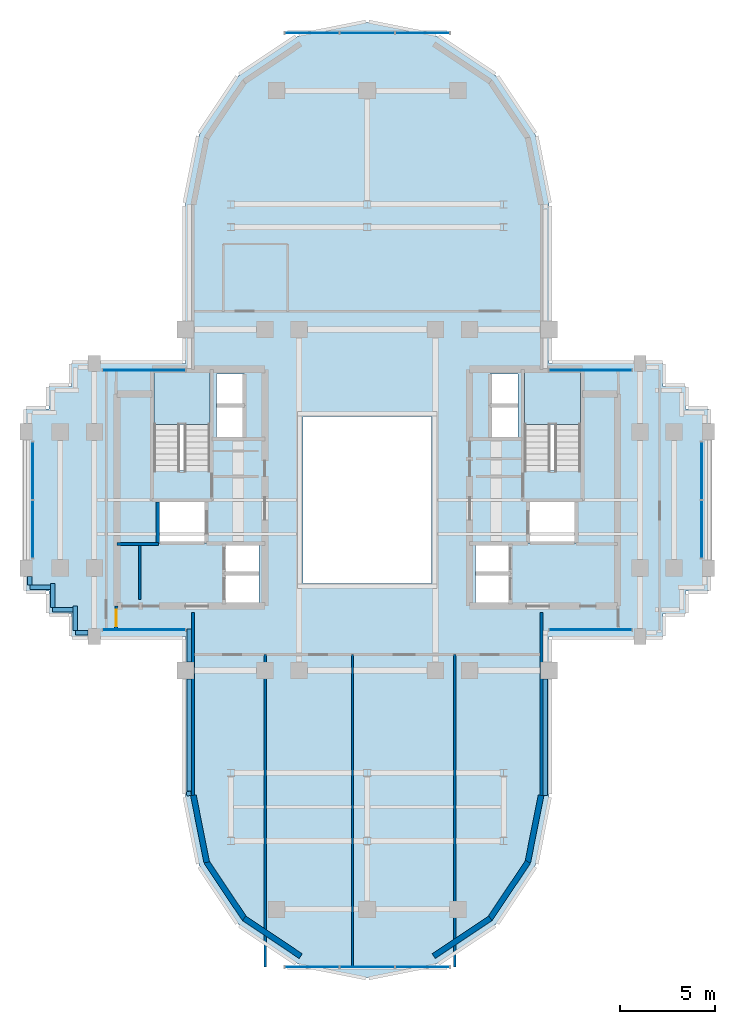
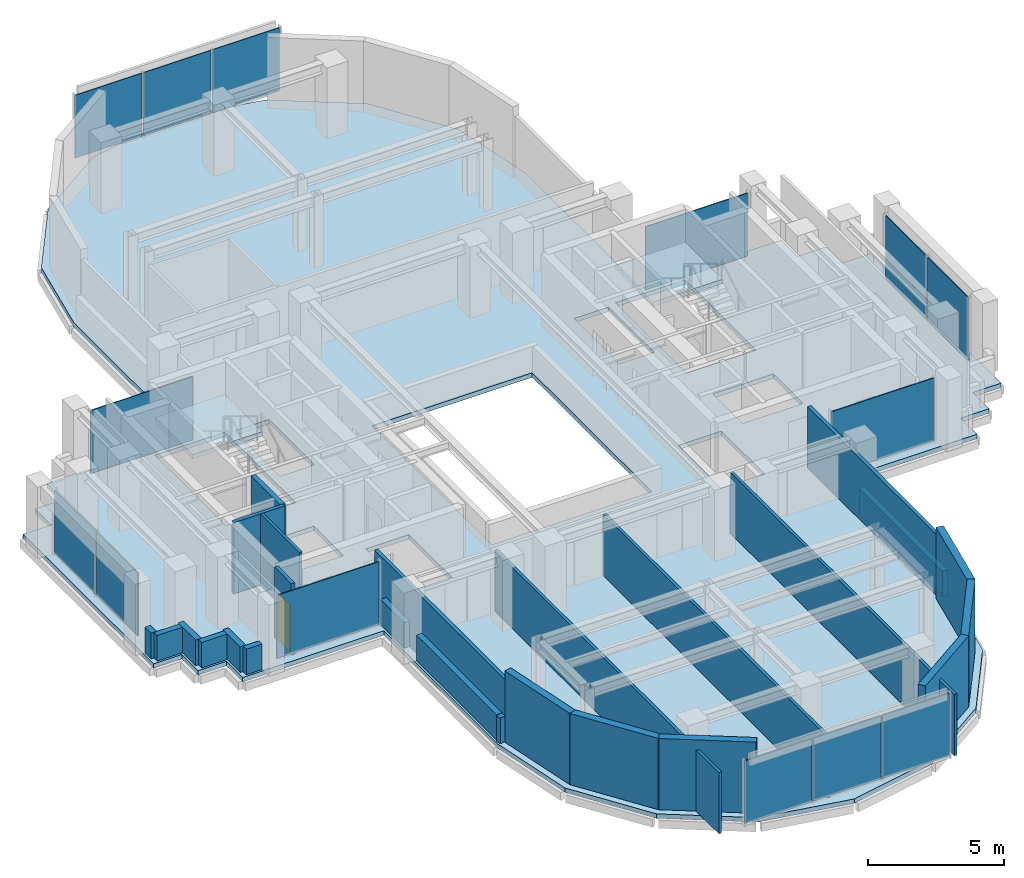
# One storey, part 5 of 11: 25 walls, 14 plates, 3 slabs, 1 door, 1 opening, 10 elements without a shape of their own.
"""IFC4 building model written with IfcOpenShell, lengths in metres."""

import ifcopenshell
import ifcopenshell.guid

model = None  # the IFC model being written
_history = None  # IfcOwnerHistory: only IFC2X3 demands one
_inside = {}  # id of a spatial element -> (the spatial element, [elements in it])
_under = {}  # id of a project, library or spatial element -> (it, [spatial elements below it])
_declared = {}  # id of a project -> (the project, [libraries it declares])
_typed = {}  # id of a type object -> (the type object, [elements of that type])
_made_of = {}  # id of a material, layer set ... -> (it, [elements and type objects made of it])


def new_model(schema):
    """Start an empty IFC model of exactly this schema.

    Asked for "IFC4X3", IfcOpenShell would pick the latest addendum, in which some entities
    have other attributes; the version numbers below select the first issue.
    IFC2X3 requires an IfcOwnerHistory on every rooted entity: one is made here for all.
    """
    global model, _history
    if schema == "IFC4X3":
        model = ifcopenshell.file(schema_version=(4, 3, 0, 0))
    else:
        model = ifcopenshell.file(schema=schema)
    _inside.clear()
    _under.clear()
    _declared.clear()
    _typed.clear()
    _made_of.clear()
    _history = None
    if model.schema == "IFC2X3":
        org = make("IfcOrganization", Name="unknown")
        user = make(
            "IfcPersonAndOrganization",
            ThePerson=make("IfcPerson", FamilyName="unknown"),
            TheOrganization=org,
        )
        app = make(
            "IfcApplication",
            ApplicationDeveloper=org,
            Version="unknown",
            ApplicationFullName="unknown",
            ApplicationIdentifier="unknown",
        )
        _history = make(
            "IfcOwnerHistory",
            OwningUser=user,
            OwningApplication=app,
            ChangeAction="ADDED",
            CreationDate=0,
        )
    return model


def make(cls, **values):
    """One entity of the class cls with the attributes given. An attribute that is None is left unset."""
    return model.create_entity(
        cls, **{name: value for name, value in values.items() if value is not None}
    )


def rooted(cls, **values):
    """An entity with a GlobalId (a new one), such as an element, a storey or a relation."""
    return make(cls, GlobalId=ifcopenshell.guid.new(), OwnerHistory=_history, **values)


def si_unit(unit_type, name, prefix=None):
    """IfcSIUnit, for example si_unit("LENGTHUNIT", "METRE", prefix="MILLI")."""
    return make("IfcSIUnit", UnitType=unit_type, Prefix=prefix, Name=name)


def assignment(units):
    """IfcUnitAssignment: the units of a project."""
    return None if units is None else make("IfcUnitAssignment", Units=units)


def point(xyz):
    """IfcCartesianPoint."""
    return None if xyz is None else make("IfcCartesianPoint", Coordinates=xyz)


def direction(xyz):
    """IfcDirection."""
    return None if xyz is None else make("IfcDirection", DirectionRatios=xyz)


def frame(location, z_axis=None, x_axis=None):
    """IfcAxis2Placement3D, a coordinate frame: its origin and axes. An axis left out is left unset."""
    return make(
        "IfcAxis2Placement3D",
        Location=point(location),
        Axis=direction(z_axis),
        RefDirection=direction(x_axis),
    )


def frame_2d(location, x_axis=None):
    """IfcAxis2Placement2D, a coordinate frame in the plane: its origin and x axis."""
    return make(
        "IfcAxis2Placement2D", Location=point(location), RefDirection=direction(x_axis)
    )


def origin():
    """The frame at (0, 0, 0) with its axes left unset."""
    return frame((0.0, 0.0, 0.0))


def origin_2d():
    """The frame at (0, 0) in the plane with its x axis left unset."""
    return frame_2d((0.0, 0.0))


def place(relative_to, where):
    """IfcLocalPlacement: puts the frame where relative to a parent placement (None: the world)."""
    return make(
        "IfcLocalPlacement", PlacementRelTo=relative_to, RelativePlacement=where
    )


def context(
    kind, dimensions, precision=None, world=None, true_north=None, identifier=None
):
    """IfcGeometricRepresentationContext, for example the 3D "Model" context."""
    return make(
        "IfcGeometricRepresentationContext",
        ContextIdentifier=identifier,
        ContextType=kind,
        CoordinateSpaceDimension=dimensions,
        Precision=precision,
        WorldCoordinateSystem=world,
        TrueNorth=true_north,
    )


def subcontext(parent, identifier, kind, view, scale=None):
    """IfcGeometricRepresentationSubContext, for example "Body" below "Model"."""
    return make(
        "IfcGeometricRepresentationSubContext",
        ContextIdentifier=identifier,
        ContextType=kind,
        ParentContext=parent,
        TargetScale=scale,
        TargetView=view,
    )


def project(units=None, contexts=None):
    """IfcProject with its units and contexts."""
    return rooted(
        "IfcProject",
        Name="project",
        RepresentationContexts=contexts,
        UnitsInContext=assignment(units),
    )


def spatial(cls, under=None, at=None, **own):
    """A site, building, storey or space (cls), placed at a placement, below another one or the project."""
    s = rooted(cls, ObjectPlacement=at, **own)
    if under is not None:
        _under.setdefault(under.id(), (under, []))[1].append(s)
    return s


def polyline(points):
    """IfcPolyline through the points."""
    return make("IfcPolyline", Points=[point(p) for p in points])


def profile(cls, at=None, kind="AREA", **sizes):
    """A parametric profile (cls). Its sizes go by their IFC names, for example OverallWidth=200.0."""
    return make(cls, ProfileType=kind, Position=at, **sizes)


def rectangle(**sizes):
    """IfcRectangleProfileDef."""
    return profile("IfcRectangleProfileDef", **sizes)


def outline(outer, holes=None, kind="AREA"):
    """IfcArbitraryClosedProfileDef: a profile drawn as a closed curve; with holes, ...WithVoids."""
    if holes is None:
        return make("IfcArbitraryClosedProfileDef", ProfileType=kind, OuterCurve=outer)
    return make(
        "IfcArbitraryProfileDefWithVoids",
        ProfileType=kind,
        OuterCurve=outer,
        InnerCurves=holes,
    )


def extrude(swept, where, along, depth):
    """IfcExtrudedAreaSolid: the profile swept, set in the frame where, extruded along a direction by depth."""
    return make(
        "IfcExtrudedAreaSolid",
        SweptArea=swept,
        Position=where,
        ExtrudedDirection=direction(along),
        Depth=depth,
    )


def shape(context_of_items, identifier, shape_type, items):
    """IfcShapeRepresentation: the items that make up one representation, for example the "Body"."""
    return make(
        "IfcShapeRepresentation",
        ContextOfItems=context_of_items,
        RepresentationIdentifier=identifier,
        RepresentationType=shape_type,
        Items=items,
    )


def source(mapping_origin, context_of_items, identifier, shape_type, items):
    """IfcRepresentationMap: a shape defined once, which mapped items show again and again."""
    return make(
        "IfcRepresentationMap",
        MappingOrigin=mapping_origin,
        MappedRepresentation=shape(context_of_items, identifier, shape_type, items),
    )


def transform(
    local_origin,
    x_axis=None,
    y_axis=None,
    z_axis=None,
    scale=None,
    scale2=None,
    scale3=None,
    uniform=True,
):
    """IfcCartesianTransformationOperator3D, or its non-uniform kind. x_axis, y_axis, z_axis: its Axis1, 2, 3."""
    if uniform:
        return make(
            "IfcCartesianTransformationOperator3D",
            Axis1=direction(x_axis),
            Axis2=direction(y_axis),
            LocalOrigin=point(local_origin),
            Scale=scale,
            Axis3=direction(z_axis),
        )
    return make(
        "IfcCartesianTransformationOperator3DnonUniform",
        Axis1=direction(x_axis),
        Axis2=direction(y_axis),
        LocalOrigin=point(local_origin),
        Scale=scale,
        Axis3=direction(z_axis),
        Scale2=scale2,
        Scale3=scale3,
    )


def mapped(mapping_source, mapping_target):
    """IfcMappedItem: shows the shape of a source again, moved by a transform."""
    return make(
        "IfcMappedItem", MappingSource=mapping_source, MappingTarget=mapping_target
    )


def material(Name=None, Category=None):
    """IfcMaterial."""
    return make("IfcMaterial", Name=Name, Category=Category)


def layer(
    of_material, thickness, ventilated=None, Name=None, Category=None, Priority=None
):
    """IfcMaterialLayer: one layer of a wall or slab, of a material (None: an air gap)."""
    return make(
        "IfcMaterialLayer",
        Material=of_material,
        LayerThickness=thickness,
        IsVentilated=ventilated,
        Name=Name,
        Category=Category,
        Priority=Priority,
    )


def layer_set(layers, Name=None):
    """IfcMaterialLayerSet."""
    return make("IfcMaterialLayerSet", MaterialLayers=layers, LayerSetName=Name)


def made_of(thing, what):
    """Note that an element or type object is made of a material, layer set ...; save() writes the relation."""
    if what is not None:
        _made_of.setdefault(what.id(), (what, []))[1].append(thing)
    return thing


def type_object(cls, material=None, **own):
    """A type object (cls), such as IfcWallType, which elements share."""
    return made_of(rooted(cls, **own), material)


def element(
    cls,
    number,
    at=None,
    inside=None,
    cuts=None,
    type_object=None,
    material=None,
    context=None,
    identifier="Body",
    shape_type=None,
    held_by="IfcProductDefinitionShape",
    body=None,
    shapes=None,
    **own,
):
    """One element of the class cls, such as IfcWall. Its Tag is "e" and its number.

    at: its placement. inside: the storey or other place that contains it. cuts: it is an
    opening in that element (IfcRelVoidsElement). A single representation is given by context,
    identifier, shape_type and body (its items); several are given by shapes. held_by: the class
    of the entity that holds the representations. save() writes the other relations.
    """
    e = rooted(cls, Tag="e%d" % number, ObjectPlacement=at, **own)
    if body is not None:
        shapes = [shape(context, identifier, shape_type, body)]
    if shapes is not None:
        e.Representation = make(held_by, Representations=shapes)
    if inside is not None:
        _inside.setdefault(inside.id(), (inside, []))[1].append(e)
    if cuts is not None:
        rooted(
            "IfcRelVoidsElement", RelatingBuildingElement=cuts, RelatedOpeningElement=e
        )
    if type_object is not None:
        _typed.setdefault(type_object.id(), (type_object, []))[1].append(e)
    return made_of(e, material)


def fill(opening, filler):
    """IfcRelFillsElement: the door or window that sits in an opening."""
    return rooted(
        "IfcRelFillsElement",
        RelatingOpeningElement=opening,
        RelatedBuildingElement=filler,
    )


def aggregate(whole, parts):
    """IfcRelAggregates: a whole, such as a stair, and the parts it consists of."""
    return rooted("IfcRelAggregates", RelatingObject=whole, RelatedObjects=parts)


def save(model, path):
    """Write the relations noted so far, then the file.

    IfcRelAggregates (storeys below a building ...), IfcRelContainedInSpatialStructure (elements
    in a storey), IfcRelDefinesByType, IfcRelAssociatesMaterial and IfcRelDeclares: one each for
    every whole, place, type object, material and project.
    """
    for whole, parts in _under.values():
        aggregate(whole, parts)
    for where, things in _inside.values():
        rooted(
            "IfcRelContainedInSpatialStructure",
            RelatedElements=things,
            RelatingStructure=where,
        )
    for kind, things in _typed.values():
        rooted("IfcRelDefinesByType", RelatedObjects=things, RelatingType=kind)
    for what, things in _made_of.values():
        rooted("IfcRelAssociatesMaterial", RelatedObjects=things, RelatingMaterial=what)
    for by, libraries in _declared.values():
        rooted("IfcRelDeclares", RelatingContext=by, RelatedDefinitions=libraries)
    model.write(path)


model = new_model("IFC4")

# Units and contexts
model_context = context("Model", 3, precision=1e-05, world=origin(), true_north=direction((0.0, 1.0)))
body_context = subcontext(model_context, "Body", "Model", "MODEL_VIEW")
ifc_project = project(units=[si_unit("LENGTHUNIT", "METRE"), si_unit("AREAUNIT", "SQUARE_METRE"), si_unit("VOLUMEUNIT", "CUBIC_METRE"), si_unit("PLANEANGLEUNIT", "RADIAN"), si_unit("MASSUNIT", "GRAM", prefix="KILO")], contexts=[model_context])

# Site, building, storey
site_placement = place(None, origin())
site = spatial("IfcSite", under=ifc_project, at=site_placement, CompositionType="ELEMENT")
building_placement = place(site_placement, origin())
building = spatial("IfcBuilding", under=site, at=building_placement, Name="Keilestroom Media Tower", CompositionType="ELEMENT")
storey_placement = place(building_placement, frame((0.0, 0.0, 167.199951171875)))
storey = spatial("IfcBuildingStorey", under=building, at=storey_placement, Name="L45", CompositionType="ELEMENT", Elevation=167.199951171875)

# Slab
ifc_material_1 = material(Name="Concrete C50/60", Category="concrete")
ifc_layer_1 = layer(ifc_material_1, 0.199951171875)
ifc_layer_set_1 = layer_set([ifc_layer_1], Name="Concrete C50/60")
slab_type_1 = type_object("IfcSlabType", Name="Composite-Floor-Slab-200", PredefinedType="FLOOR", material=ifc_layer_set_1)
slab_1_placement = place(storey_placement, frame((0.0, 0.0, -0.199951171875)))
element("IfcSlab", 1, at=slab_1_placement, inside=storey, type_object=slab_type_1, Name="L45 Structural Composite Floor Slab", PredefinedType="FLOOR", context=body_context, shape_type="SweptSolid", body=[
    extrude(outline(polyline([(18.0, -4.800048828125), (18.0, 4.800048828125), (16.800048828125, 4.800048828125), (16.800048828125, 6.0), (15.60009765625, 6.0), (15.60009765625, 7.199951171875), (9.60009765625, 7.199951171875), (9.60009765625, 9.60009765625), (9.60009765625, 15.60009765625), (8.869140625, 19.273681640625), (6.7880859375, 22.38818359375), (3.673828125, 24.46923828125), (0.0, 25.199951171875), (-3.673828125, 24.46923828125), (-6.7880859375, 22.38818359375), (-8.869140625, 19.273681640625), (-9.60009765625, 15.60009765625), (-9.60009765625, 9.60009765625), (-9.60009765625, 7.199951171875), (-15.60009765625, 7.199951171875), (-15.60009765625, 6.0), (-16.800048828125, 6.0), (-16.800048828125, 4.800048828125), (-18.0, 4.800048828125), (-18.0, -4.800048828125), (-16.800048828125, -4.800048828125), (-16.800048828125, -6.0), (-15.60009765625, -6.0), (-15.60009765625, -7.199951171875), (-9.60009765625, -7.199951171875), (-9.60009765625, -9.60009765625), (-9.60009765625, -15.60009765625), (-8.869140625, -19.273681640625), (-6.7880859375, -22.38818359375), (-3.673828125, -24.46923828125), (0.0, -25.199951171875), (3.673828125, -24.46923828125), (6.7880859375, -22.38818359375), (8.869140625, -19.273681640625), (9.60009765625, -15.60009765625), (9.60009765625, -9.60009765625), (9.60009765625, -7.199951171875), (15.60009765625, -7.199951171875), (15.60009765625, -6.0), (16.800048828125, -6.0), (16.800048828125, -4.800048828125), (18.0, -4.800048828125)]), holes=[polyline([(-11.260009765625, 1.544921875), (-11.260009765625, 6.760009765625), (-8.300048828125, 6.760009765625), (-8.300048828125, 1.544921875), (-11.260009765625, 1.544921875)]), polyline([(-11.050048828125, -2.280029296875), (-11.050048828125, -0.10009765625), (-8.47998046875, -0.10009765625), (-8.47998046875, -2.280029296875), (-11.050048828125, -2.280029296875)]), polyline([(-7.949951171875, 3.300048828125), (-7.949951171875, 6.64990234375), (-6.47998046875, 6.64990234375), (-6.47998046875, 3.300048828125), (-7.949951171875, 3.300048828125)]), polyline([(-7.56005859375, -2.320068359375), (-5.719970703125, -2.320068359375), (-5.719970703125, -5.47998046875), (-7.56005859375, -5.47998046875), (-7.56005859375, -2.320068359375)]), polyline([(3.39990234375, -4.39990234375), (-3.39990234375, -4.39990234375), (-3.39990234375, 4.39990234375), (3.39990234375, 4.39990234375), (3.39990234375, -4.39990234375)]), polyline([(7.56005859375, -2.320068359375), (7.56005859375, -5.47998046875), (5.719970703125, -5.47998046875), (5.719970703125, -2.320068359375), (7.56005859375, -2.320068359375)]), polyline([(6.47998046875, 3.300048828125), (6.47998046875, 6.64990234375), (7.949951171875, 6.64990234375), (7.949951171875, 3.300048828125), (6.47998046875, 3.300048828125)]), polyline([(8.300048828125, 1.544921875), (8.300048828125, 6.760009765625), (11.260009765625, 6.760009765625), (11.260009765625, 1.544921875), (8.300048828125, 1.544921875)]), polyline([(8.47998046875, -2.280029296875), (8.47998046875, -0.10009765625), (11.050048828125, -0.10009765625), (11.050048828125, -2.280029296875), (8.47998046875, -2.280029296875)])]), origin(), (0.0, 0.0, 1.0), 0.199951171875),
])

# Stair, slab
ifc_material_2 = material(Name="Concrete C45/55", Category="concrete")
stair_type = type_object("IfcStairType", Name="Enclosed-Dog-Leg-Stair-ST-CORE", PredefinedType="HALF_TURN_STAIR", material=ifc_material_2)
stair_1_placement = place(storey_placement, origin())
stair_1 = element("IfcStair", 2, at=stair_1_placement, inside=storey, type_object=stair_type, Name="L45 West Core Escape Stair ST-1", PredefinedType="HALF_TURN_STAIR")
ifc_layer_2 = layer(ifc_material_2, 0.199951171875)
ifc_layer_set_2 = layer_set([ifc_layer_2], Name="Concrete C45/55")
slab_type_2 = type_object("IfcSlabType", Name="Stair-Intermediate-And-Top-Landing-Slab-200", PredefinedType="LANDING", material=ifc_layer_set_2)
slab_2_placement = place(storey_placement, frame((0.0, 0.0, 1.5)))
slab_2 = element("IfcSlab", 3, at=slab_2_placement, type_object=slab_type_2, Name="ST-1 landing 1", PredefinedType="LANDING", context=body_context, shape_type="SweptSolid", body=[
    extrude(outline(polyline([(-8.300048828125, 3.99609375), (-8.300048828125, 6.760009765625), (-11.260009765625, 6.760009765625), (-11.260009765625, 3.99609375), (-8.300048828125, 3.99609375)])), origin(), (0.0, 0.0, 1.0), 0.199951171875),
])
aggregate(stair_1, [slab_2])

stair_2_placement = place(storey_placement, origin())
stair_2 = element("IfcStair", 4, at=stair_2_placement, inside=storey, type_object=stair_type, Name="L45 East Core Escape Stair ST-2", PredefinedType="HALF_TURN_STAIR")
slab_3_placement = place(storey_placement, frame((0.0, 0.0, 1.5)))
slab_3 = element("IfcSlab", 5, at=slab_3_placement, type_object=slab_type_2, Name="ST-2 landing 1", PredefinedType="LANDING", context=body_context, shape_type="SweptSolid", body=[
    extrude(outline(polyline([(11.260009765625, 3.99609375), (11.260009765625, 6.760009765625), (8.300048828125, 6.760009765625), (8.300048828125, 3.99609375), (11.260009765625, 3.99609375)])), origin(), (0.0, 0.0, 1.0), 0.199951171875),
])
aggregate(stair_2, [slab_3])

# Curtain wall, plates
ifc_material_3 = material(Name="Anodised Aluminium Alloy", Category="aluminium")
curtain_wall_type_1 = type_object("IfcCurtainWallType", Name="Unitised-Curtain-Wall-CW-6", PredefinedType="NOTDEFINED", material=ifc_material_3)
curtain_wall_1_placement = place(storey_placement, origin())
curtain_wall_1 = element("IfcCurtainWall", 6, at=curtain_wall_1_placement, inside=storey, type_object=curtain_wall_type_1, Name="L45 Curtain Wall CW-6 CW-L45-LN-1", PredefinedType="NOTDEFINED")
ifc_material_4 = material(Name="Curved-Facet Triple Glazed Unit", Category="glass")
ifc_layer_3 = layer(ifc_material_4, 0.033935546875)
ifc_layer_set_3 = layer_set([ifc_layer_3], Name="Curved-Facet Triple Glazed Unit")
plate_type_1 = type_object("IfcPlateType", Name="Insulated-Curtain-Wall-Glazing-Panel-CW-6", PredefinedType="CURTAIN_PANEL", material=ifc_layer_set_3)
shared_shape_1 = source(origin(), body_context, "Body", "SweptSolid", [
    extrude(rectangle(XDim=2.84375, YDim=0.033935546875, at=origin_2d()), origin(), (0.0, 0.0, 1.0), 2.833984375),
])
plate_1_placement = place(storey_placement, frame((-2.9169921875, 24.64990234375, 0.072998046875), z_axis=(0.0, 0.0, 1.0), x_axis=(1.0, 0.0, 0.0)))
plate_1 = element("IfcPlate", 7, at=plate_1_placement, type_object=plate_type_1, Name="CW-6 Unitised Glazing 00", PredefinedType="CURTAIN_PANEL", context=body_context, shape_type="MappedRepresentation", body=[
    mapped(shared_shape_1, transform((0.0, 0.0, 0.0), x_axis=(1.0, 0.0, 0.0), y_axis=(0.0, 1.0, 0.0), z_axis=(0.0, 0.0, 1.0), scale=1.0)),
])
plate_2_placement = place(storey_placement, frame((2.9169921875, 24.64990234375, 0.072998046875), z_axis=(0.0, 0.0, 1.0), x_axis=(1.0, 0.0, 0.0)))
plate_2 = element("IfcPlate", 8, at=plate_2_placement, type_object=plate_type_1, Name="CW-6 Unitised Glazing 02", PredefinedType="CURTAIN_PANEL", context=body_context, shape_type="MappedRepresentation", body=[
    mapped(shared_shape_1, transform((0.0, 0.0, 0.0), x_axis=(1.0, 0.0, 0.0), y_axis=(0.0, 1.0, 0.0), z_axis=(0.0, 0.0, 1.0), scale=1.0)),
])

curtain_wall_2_placement = place(storey_placement, origin())
curtain_wall_2 = element("IfcCurtainWall", 9, at=curtain_wall_2_placement, inside=storey, type_object=curtain_wall_type_1, Name="L45 Curtain Wall CW-6 CW-L45-LS-1", PredefinedType="NOTDEFINED")
plate_3_placement = place(storey_placement, frame((-2.9169921875, -24.64990234375, 0.072998046875), z_axis=(0.0, 0.0, 1.0), x_axis=(1.0, 0.0, 0.0)))
plate_3 = element("IfcPlate", 10, at=plate_3_placement, type_object=plate_type_1, Name="CW-6 Unitised Glazing 00", PredefinedType="CURTAIN_PANEL", context=body_context, shape_type="MappedRepresentation", body=[
    mapped(shared_shape_1, transform((0.0, 0.0, 0.0), x_axis=(1.0, 0.0, 0.0), y_axis=(0.0, 1.0, 0.0), z_axis=(0.0, 0.0, 1.0), scale=1.0)),
])
plate_4_placement = place(storey_placement, frame((2.9169921875, -24.64990234375, 0.072998046875), z_axis=(0.0, 0.0, 1.0), x_axis=(1.0, 0.0, 0.0)))
plate_4 = element("IfcPlate", 11, at=plate_4_placement, type_object=plate_type_1, Name="CW-6 Unitised Glazing 02", PredefinedType="CURTAIN_PANEL", context=body_context, shape_type="MappedRepresentation", body=[
    mapped(shared_shape_1, transform((0.0, 0.0, 0.0), x_axis=(1.0, 0.0, 0.0), y_axis=(0.0, 1.0, 0.0), z_axis=(0.0, 0.0, 1.0), scale=1.0)),
])

# Plate
shared_shape_2 = source(origin(), body_context, "Body", "SweptSolid", [
    extrude(rectangle(XDim=2.876220703125, YDim=0.033935546875, at=origin_2d()), origin(), (0.0, 0.0, 1.0), 2.833984375),
])
plate_5_placement = place(storey_placement, frame((0.0, 24.64990234375, 0.072998046875), z_axis=(0.0, 0.0, 1.0), x_axis=(1.0, 0.0, 0.0)))
plate_5 = element("IfcPlate", 12, at=plate_5_placement, type_object=plate_type_1, Name="CW-6 Unitised Glazing 01", PredefinedType="CURTAIN_PANEL", context=body_context, shape_type="MappedRepresentation", body=[
    mapped(shared_shape_2, transform((0.0, 0.0, 0.0), x_axis=(1.0, 0.0, 0.0), y_axis=(0.0, 1.0, 0.0), z_axis=(0.0, 0.0, 1.0), scale=1.0)),
])

aggregate(curtain_wall_1, [plate_1, plate_5, plate_2])

plate_6_placement = place(storey_placement, frame((0.0, -24.64990234375, 0.072998046875), z_axis=(0.0, 0.0, 1.0), x_axis=(1.0, 0.0, 0.0)))
plate_6 = element("IfcPlate", 13, at=plate_6_placement, type_object=plate_type_1, Name="CW-6 Unitised Glazing 01", PredefinedType="CURTAIN_PANEL", context=body_context, shape_type="MappedRepresentation", body=[
    mapped(shared_shape_2, transform((0.0, 0.0, 0.0), x_axis=(1.0, 0.0, 0.0), y_axis=(0.0, 1.0, 0.0), z_axis=(0.0, 0.0, 1.0), scale=1.0)),
])

aggregate(curtain_wall_2, [plate_3, plate_6, plate_4])

# Curtain wall, plate
curtain_wall_type_2 = type_object("IfcCurtainWallType", Name="Unitised-Curtain-Wall-CW-3", PredefinedType="NOTDEFINED", material=ifc_material_3)
curtain_wall_3_placement = place(storey_placement, origin())
curtain_wall_3 = element("IfcCurtainWall", 14, at=curtain_wall_3_placement, inside=storey, type_object=curtain_wall_type_2, Name="L45 Curtain Wall CW-3 CW-L45-NW-1", PredefinedType="NOTDEFINED")
ifc_material_5 = material(Name="Triple Glazed Acoustic Low-E Unit", Category="glass")
ifc_layer_4 = layer(ifc_material_5, 0.0380859375)
ifc_layer_set_4 = layer_set([ifc_layer_4], Name="Triple Glazed Acoustic Low-E Unit")
plate_type_2 = type_object("IfcPlateType", Name="Insulated-Curtain-Wall-Glazing-Panel-CW-3", PredefinedType="CURTAIN_PANEL", material=ifc_layer_set_4)
shared_shape_3 = source(origin(), body_context, "Body", "SweptSolid", [
    extrude(rectangle(XDim=4.343017578125, YDim=0.0380859375, at=origin_2d()), origin(), (0.0, 0.0, 1.0), 2.833984375),
])
plate_7_placement = place(storey_placement, frame((-11.782470703125, 6.85009765625, 0.072998046875), z_axis=(0.0, 0.0, 1.0), x_axis=(1.0, 0.0, 0.0)))
plate_7 = element("IfcPlate", 15, at=plate_7_placement, type_object=plate_type_2, Name="CW-3 Unitised Glazing 00", PredefinedType="CURTAIN_PANEL", context=body_context, shape_type="MappedRepresentation", body=[
    mapped(shared_shape_3, transform((0.0, 0.0, 0.0), x_axis=(1.0, 0.0, 0.0), y_axis=(0.0, 1.0, 0.0), z_axis=(0.0, 0.0, 1.0), scale=1.0)),
])
aggregate(curtain_wall_3, [plate_7])

curtain_wall_4_placement = place(storey_placement, origin())
curtain_wall_4 = element("IfcCurtainWall", 16, at=curtain_wall_4_placement, inside=storey, type_object=curtain_wall_type_2, Name="L45 Curtain Wall CW-3 CW-L45-NE-1", PredefinedType="NOTDEFINED")
plate_8_placement = place(storey_placement, frame((11.782470703125, 6.85009765625, 0.072998046875), z_axis=(0.0, 0.0, 1.0), x_axis=(1.0, 0.0, 0.0)))
plate_8 = element("IfcPlate", 17, at=plate_8_placement, type_object=plate_type_2, Name="CW-3 Unitised Glazing 00", PredefinedType="CURTAIN_PANEL", context=body_context, shape_type="MappedRepresentation", body=[
    mapped(shared_shape_3, transform((0.0, 0.0, 0.0), x_axis=(1.0, 0.0, 0.0), y_axis=(0.0, 1.0, 0.0), z_axis=(0.0, 0.0, 1.0), scale=1.0)),
])
aggregate(curtain_wall_4, [plate_8])

curtain_wall_5_placement = place(storey_placement, origin())
curtain_wall_5 = element("IfcCurtainWall", 18, at=curtain_wall_5_placement, inside=storey, type_object=curtain_wall_type_2, Name="L45 Curtain Wall CW-3 CW-L45-SW-1", PredefinedType="NOTDEFINED")
plate_9_placement = place(storey_placement, frame((-11.782470703125, -6.85009765625, 0.072998046875), z_axis=(0.0, 0.0, 1.0), x_axis=(1.0, 0.0, 0.0)))
plate_9 = element("IfcPlate", 19, at=plate_9_placement, type_object=plate_type_2, Name="CW-3 Unitised Glazing 00", PredefinedType="CURTAIN_PANEL", context=body_context, shape_type="MappedRepresentation", body=[
    mapped(shared_shape_3, transform((0.0, 0.0, 0.0), x_axis=(1.0, 0.0, 0.0), y_axis=(0.0, 1.0, 0.0), z_axis=(0.0, 0.0, 1.0), scale=1.0)),
])
aggregate(curtain_wall_5, [plate_9])

curtain_wall_6_placement = place(storey_placement, origin())
curtain_wall_6 = element("IfcCurtainWall", 20, at=curtain_wall_6_placement, inside=storey, type_object=curtain_wall_type_2, Name="L45 Curtain Wall CW-3 CW-L45-SE-1", PredefinedType="NOTDEFINED")
plate_10_placement = place(storey_placement, frame((11.782470703125, -6.85009765625, 0.072998046875), z_axis=(0.0, 0.0, 1.0), x_axis=(1.0, 0.0, 0.0)))
plate_10 = element("IfcPlate", 21, at=plate_10_placement, type_object=plate_type_2, Name="CW-3 Unitised Glazing 00", PredefinedType="CURTAIN_PANEL", context=body_context, shape_type="MappedRepresentation", body=[
    mapped(shared_shape_3, transform((0.0, 0.0, 0.0), x_axis=(1.0, 0.0, 0.0), y_axis=(0.0, 1.0, 0.0), z_axis=(0.0, 0.0, 1.0), scale=1.0)),
])
aggregate(curtain_wall_6, [plate_10])

# Curtain wall, plates
curtain_wall_7_placement = place(storey_placement, origin())
curtain_wall_7 = element("IfcCurtainWall", 22, at=curtain_wall_7_placement, inside=storey, type_object=curtain_wall_type_2, Name="L45 Curtain Wall CW-3 CW-L45-W-1", PredefinedType="NOTDEFINED")
shared_shape_4 = source(origin(), body_context, "Body", "SweptSolid", [
    extrude(rectangle(XDim=3.025390625, YDim=0.0380859375, at=origin_2d()), origin(), (0.0, 0.0, 1.0), 2.833984375),
])
plate_11_placement = place(storey_placement, frame((-17.64990234375, -1.541259765625, 0.072998046875), z_axis=(0.0, 0.0, 1.0), x_axis=(0.0, 1.0, 0.0)))
plate_11 = element("IfcPlate", 23, at=plate_11_placement, type_object=plate_type_2, Name="CW-3 Unitised Glazing 00", PredefinedType="CURTAIN_PANEL", context=body_context, shape_type="MappedRepresentation", body=[
    mapped(shared_shape_4, transform((0.0, 0.0, 0.0), x_axis=(1.0, 0.0, 0.0), y_axis=(0.0, 1.0, 0.0), z_axis=(0.0, 0.0, 1.0), scale=1.0)),
])
plate_12_placement = place(storey_placement, frame((-17.64990234375, 1.541259765625, 0.072998046875), z_axis=(0.0, 0.0, 1.0), x_axis=(0.0, 1.0, 0.0)))
plate_12 = element("IfcPlate", 24, at=plate_12_placement, type_object=plate_type_2, Name="CW-3 Unitised Glazing 01", PredefinedType="CURTAIN_PANEL", context=body_context, shape_type="MappedRepresentation", body=[
    mapped(shared_shape_4, transform((0.0, 0.0, 0.0), x_axis=(1.0, 0.0, 0.0), y_axis=(0.0, 1.0, 0.0), z_axis=(0.0, 0.0, 1.0), scale=1.0)),
])
aggregate(curtain_wall_7, [plate_11, plate_12])

curtain_wall_8_placement = place(storey_placement, origin())
curtain_wall_8 = element("IfcCurtainWall", 25, at=curtain_wall_8_placement, inside=storey, type_object=curtain_wall_type_2, Name="L45 Curtain Wall CW-3 CW-L45-E-1", PredefinedType="NOTDEFINED")
plate_13_placement = place(storey_placement, frame((17.64990234375, -1.541259765625, 0.072998046875), z_axis=(0.0, 0.0, 1.0), x_axis=(0.0, 1.0, 0.0)))
plate_13 = element("IfcPlate", 26, at=plate_13_placement, type_object=plate_type_2, Name="CW-3 Unitised Glazing 00", PredefinedType="CURTAIN_PANEL", context=body_context, shape_type="MappedRepresentation", body=[
    mapped(shared_shape_4, transform((0.0, 0.0, 0.0), x_axis=(1.0, 0.0, 0.0), y_axis=(0.0, 1.0, 0.0), z_axis=(0.0, 0.0, 1.0), scale=1.0)),
])
plate_14_placement = place(storey_placement, frame((17.64990234375, 1.541259765625, 0.072998046875), z_axis=(0.0, 0.0, 1.0), x_axis=(0.0, 1.0, 0.0)))
plate_14 = element("IfcPlate", 27, at=plate_14_placement, type_object=plate_type_2, Name="CW-3 Unitised Glazing 01", PredefinedType="CURTAIN_PANEL", context=body_context, shape_type="MappedRepresentation", body=[
    mapped(shared_shape_4, transform((0.0, 0.0, 0.0), x_axis=(1.0, 0.0, 0.0), y_axis=(0.0, 1.0, 0.0), z_axis=(0.0, 0.0, 1.0), scale=1.0)),
])
aggregate(curtain_wall_8, [plate_13, plate_14])

# Walls
ifc_material_6 = material(Name="Precast concrete C40/50", Category="concrete")
ifc_layer_5 = layer(ifc_material_6, 0.300048828125)
ifc_layer_set_5 = layer_set([ifc_layer_5], Name="Precast concrete C40/50")
wall_type_1 = type_object("IfcWallType", Name="Exterior-Masonry-Spandrel-Wall-300", PredefinedType="SOLIDWALL", material=ifc_layer_set_5)
for number, where, z_axis, x_axis, name in (
    (28, (-9.1748046875, -15.585205078125, 0.0), (0.0, 0.0, 1.0), (0.195114232679, -0.980780523974, 0.0), "L45 Lobe Facet Precast Frame Wall 07"),
    (29, (-8.48193359375, -19.097412109375, 0.0), (0.0, 0.0, 1.0), (0.555574187116, -0.831466970246, 0.0), "L45 Lobe Facet Precast Frame Wall 08"),
):
    element("IfcWall", number, at=place(storey_placement, frame(where, z_axis=z_axis, x_axis=x_axis)), inside=storey, type_object=wall_type_1, Name=name, PredefinedType="SOLIDWALL", context=body_context, shape_type="SweptSolid", body=[
        extrude(rectangle(XDim=3.608642578125, YDim=0.300048828125, at=frame_2d((1.80419921875, 0.0))), origin(), (0.0, 0.0, 1.0), 3.199951171875),
    ])
for number, where, z_axis, x_axis, name in (
    (30, (-6.497802734375, -22.0771484375, 0.0), (0.0, 0.0, 1.0), (0.8314749531, -0.555562239868, 0.0), "L45 Lobe Facet Precast Frame Wall 09"),
    (31, (3.510009765625, -24.073486328125, 0.0), (0.0, 0.0, 1.0), (0.8314749531, 0.555562239868, 0.0), "L45 Lobe Facet Precast Frame Wall 10"),
):
    element("IfcWall", number, at=place(storey_placement, frame(where, z_axis=z_axis, x_axis=x_axis)), inside=storey, type_object=wall_type_1, Name=name, PredefinedType="SOLIDWALL", context=body_context, shape_type="SweptSolid", body=[
        extrude(rectangle(XDim=3.59326171875, YDim=0.300048828125, at=frame_2d((1.796630859375, 0.0))), origin(), (0.0, 0.0, 1.0), 3.199951171875),
    ])
for number, where, z_axis, x_axis, name in (
    (32, (6.47705078125, -22.097900390625, 0.0), (0.0, 0.0, 1.0), (0.555574187116, 0.831466970246, 0.0), "L45 Lobe Facet Precast Frame Wall 11"),
    (33, (8.470703125, -19.12451171875, 0.0), (0.0, 0.0, 1.0), (0.195114232679, 0.980780523974, 0.0), "L45 Lobe Facet Precast Frame Wall 12"),
):
    element("IfcWall", number, at=place(storey_placement, frame(where, z_axis=z_axis, x_axis=x_axis)), inside=storey, type_object=wall_type_1, Name=name, PredefinedType="SOLIDWALL", context=body_context, shape_type="SweptSolid", body=[
        extrude(rectangle(XDim=3.608642578125, YDim=0.300048828125, at=frame_2d((1.80419921875, 0.0))), origin(), (0.0, 0.0, 1.0), 3.199951171875),
    ])
ifc_material_7 = material(Name="Gypsum Plasterboard & Steel Stud", Category="steel")
ifc_layer_6 = layer(ifc_material_7, 0.1201171875)
ifc_layer_set_6 = layer_set([ifc_layer_6], Name="Gypsum Plasterboard & Steel Stud")
wall_type_2 = type_object("IfcWallType", Name="Interior-Partition-Wall-120", PredefinedType="PARTITIONING", material=ifc_layer_set_6)
wall_1_placement = place(storey_placement, frame((-12.010009765625, -5.260009765625, 0.0), z_axis=(0.0, 0.0, 1.0), x_axis=(0.0, 1.0, 0.0)))
element("IfcWall", 34, at=wall_1_placement, inside=storey, type_object=wall_type_2, Name="L45 Interior Wall WP-L45-RECLW-M", PredefinedType="PARTITIONING", context=body_context, shape_type="SweptSolid", body=[
    extrude(rectangle(XDim=2.93994140625, YDim=0.1201171875, at=frame_2d((1.469970703125, 0.0))), origin(), (0.0, 0.0, 1.0), 3.199951171875),
])
for number, where, z_axis, x_axis, name in (
    (35, (-5.3798828125, -24.64990234375, 0.0), (0.0, 0.0, 1.0), (0.0, 1.0, 0.0), "L45 Interior Wall WP-L45-SL-QV1"),
    (36, (-0.780029296875, -24.64990234375, 0.0), (0.0, 0.0, 1.0), (0.0, 1.0, 0.0), "L45 Interior Wall WP-L45-SL-QV2"),
    (37, (4.6201171875, -24.64990234375, 0.0), (0.0, 0.0, 1.0), (0.0, 1.0, 0.0), "L45 Interior Wall WP-L45-SL-QV3"),
):
    element("IfcWall", number, at=place(storey_placement, frame(where, z_axis=z_axis, x_axis=x_axis)), inside=storey, type_object=wall_type_2, Name=name, PredefinedType="PARTITIONING", context=body_context, shape_type="SweptSolid", body=[
        extrude(rectangle(XDim=16.489990234375, YDim=0.1201171875, at=frame_2d((8.2451171875, 0.0))), origin(), (0.0, 0.0, 1.0), 2.75),
    ])
ifc_layer_7 = layer(ifc_material_7, 0.14990234375)
ifc_layer_set_7 = layer_set([ifc_layer_7], Name="Gypsum Plasterboard & Steel Stud")
wall_type_3 = type_object("IfcWallType", Name="Interior-Partition-Wall-150", PredefinedType="PARTITIONING", material=ifc_layer_set_7)
wall_2_placement = place(storey_placement, frame((-13.199951171875, -2.320068359375, 0.0), z_axis=(0.0, 0.0, 1.0), x_axis=(1.0, 0.0, 0.0)))
element("IfcWall", 38, at=wall_2_placement, inside=storey, type_object=wall_type_3, Name="L45 Interior Wall WP-L45-RECLW-N", PredefinedType="PARTITIONING", context=body_context, shape_type="SweptSolid", body=[
    extrude(rectangle(XDim=2.179931640625, YDim=0.14990234375, at=frame_2d((1.08984375, 0.0))), origin(), (0.0, 0.0, 1.0), 3.199951171875),
])
for number, where, z_axis, x_axis, name in (
    (39, (-9.199951171875, -15.679931640625, 0.0), (0.0, 0.0, 1.0), (0.0, 1.0, 0.0), "L45 Interior Wall WP-L45-SL-CHKW"),
    (40, (9.199951171875, -15.679931640625, 0.0), (0.0, 0.0, 1.0), (0.0, 1.0, 0.0), "L45 Interior Wall WP-L45-SL-CHKE"),
):
    element("IfcWall", number, at=place(storey_placement, frame(where, z_axis=z_axis, x_axis=x_axis)), inside=storey, type_object=wall_type_3, Name=name, PredefinedType="PARTITIONING", context=body_context, shape_type="SweptSolid", body=[
        extrude(rectangle(XDim=9.739990234375, YDim=0.14990234375, at=frame_2d((4.8701171875, 0.0))), origin(), (0.0, 0.0, 1.0), 2.75),
    ])

# Wall, opening, door
wall_3_placement = place(storey_placement, frame((-13.260009765625, -6.85009765625, 0.0), z_axis=(0.0, 0.0, 1.0), x_axis=(0.016013571389, 0.999871774545, 0.0)))
wall_3 = element("IfcWall", 41, at=wall_3_placement, inside=storey, type_object=wall_type_3, Name="L45 Interior Wall WP-L45-WA-ENTS", PredefinedType="PARTITIONING", context=body_context, shape_type="SweptSolid", body=[
    extrude(rectangle(XDim=1.250244140625, YDim=0.14990234375, at=frame_2d((0.625, 0.0))), origin(), (0.0, 0.0, 1.0), 3.199951171875),
])
opening_placement = place(wall_3_placement, frame((0.199951171875, 0.0, 0.0)))
opening = element("IfcOpeningElement", 42, at=opening_placement, cuts=wall_3, Name="Opening DI-05", PredefinedType="OPENING", context=body_context, shape_type="SweptSolid", body=[
    extrude(rectangle(XDim=0.85009765625, YDim=2.10009765625, at=frame_2d((0.425048828125, 1.050048828125))), frame((0.0, 0.0849609375, 0.0), z_axis=(0.0, -1.0, 0.0), x_axis=(1.0, 0.0, 0.0)), (0.0, 0.0, 1.0), 0.169921875),
])
ifc_material_8 = material(Name="Moisture-Resistant Oak Leaf", Category="wood")
door_type = type_object("IfcDoorType", Name="Interior-En-Suite-And-Cupboard-Door-DI-05", OperationType="NOTDEFINED", PredefinedType="DOOR", material=ifc_material_8)
shared_shape_5 = source(origin(), body_context, "Body", "SweptSolid", [
    extrude(rectangle(XDim=0.85009765625, YDim=2.10009765625, at=frame_2d((0.425048828125, 1.050048828125))), frame((0.0, 0.02490234375, 0.0), z_axis=(0.0, -1.0, 0.0), x_axis=(1.0, 0.0, 0.0)), (0.0, 0.0, 1.0), 0.050048828125),
])
door_placement = place(opening_placement, origin())
door = element("IfcDoor", 43, at=door_placement, inside=storey, type_object=door_type, Name="L45 Interior Door DI-L45-DWA-ENTS", OperationType="SINGLE_SWING_RIGHT", OverallHeight=2.10009765625, OverallWidth=0.85009765625, PredefinedType="DOOR", context=body_context, shape_type="MappedRepresentation", body=[
    mapped(shared_shape_5, transform((0.0, 0.0, 0.0), x_axis=(1.0, 0.0, 0.0), y_axis=(0.0, 1.0, 0.0), z_axis=(0.0, 0.0, 1.0), scale=1.0)),
])
fill(opening, door)

# Walls
ifc_layer_8 = layer(ifc_material_1, 0.199951171875)
ifc_layer_set_8 = layer_set([ifc_layer_8], Name="Concrete C50/60")
wall_type_4 = type_object("IfcWallType", Name="Reinforced-Concrete-Shaft-Wall-200", PredefinedType="SOLIDWALL", material=ifc_layer_set_8)
wall_4_placement = place(storey_placement, frame((-11.050048828125, -2.280029296875, 0.0), z_axis=(0.0, 0.0, 1.0), x_axis=(0.0, 1.0, 0.0)))
element("IfcWall", 44, at=wall_4_placement, inside=storey, type_object=wall_type_4, Name="L45 Core Shear Wall WL-L45-LSH-FFL-1-W", PredefinedType="SOLIDWALL", context=body_context, shape_type="SweptSolid", body=[
    extrude(rectangle(XDim=2.179931640625, YDim=0.199951171875, at=frame_2d((1.08984375, 0.0))), origin(), (0.0, 0.0, 1.0), 3.199951171875),
])
ifc_layer_9 = layer(ifc_material_6, 0.239990234375)
ifc_layer_set_9 = layer_set([ifc_layer_9], Name="Precast concrete C40/50")
wall_type_5 = type_object("IfcWallType", Name="Roof-And-Terrace-Parapet-Wall-240", PredefinedType="PARAPET", material=ifc_layer_set_9)
wall_5_placement = place(storey_placement, frame((9.39990234375, -9.452880859375, 0.0), z_axis=(0.0, 0.0, 1.0), x_axis=(0.0, -1.0, 0.0)))
element("IfcWall", 45, at=wall_5_placement, inside=storey, type_object=wall_type_5, Name="L45 Perimeter Edge Parapet Wall 09", PredefinedType="PARAPET", context=body_context, shape_type="SweptSolid", body=[
    extrude(rectangle(XDim=6.14990234375, YDim=0.239990234375, at=frame_2d((3.074951171875, 0.0))), origin(), (0.0, 0.0, 1.0), 1.150146484375),
])
wall_6_placement = place(storey_placement, frame((-9.395263671875, -15.604248046875, 0.0), z_axis=(0.0, 0.0, 1.0), x_axis=(-0.194652052864, 0.980872355771, 0.0)))
element("IfcWall", 46, at=wall_6_placement, inside=storey, type_object=wall_type_5, Name="L45 Perimeter Edge Parapet Wall 10", PredefinedType="PARAPET", context=body_context, shape_type="SweptSolid", body=[
    extrude(rectangle(XDim=0.224609375, YDim=0.239990234375, at=frame_2d((0.1123046875, 0.0))), origin(), (0.0, 0.0, 1.0), 1.150146484375),
])
wall_7_placement = place(storey_placement, frame((-9.39990234375, -15.357666015625, 0.0), z_axis=(0.0, 0.0, 1.0), x_axis=(0.0, 1.0, 0.0)))
element("IfcWall", 47, at=wall_7_placement, inside=storey, type_object=wall_type_5, Name="L45 Perimeter Edge Parapet Wall 11", PredefinedType="PARAPET", context=body_context, shape_type="SweptSolid", body=[
    extrude(rectangle(XDim=5.90478515625, YDim=0.239990234375, at=frame_2d((2.952392578125, 0.0))), origin(), (0.0, 0.0, 1.0), 1.150146484375),
])
wall_8_placement = place(storey_placement, frame((-9.39990234375, -8.547119140625, 0.0), z_axis=(0.0, 0.0, 1.0), x_axis=(0.0, 1.0, 0.0)))
element("IfcWall", 48, at=wall_8_placement, inside=storey, type_object=wall_type_5, Name="L45 Perimeter Edge Parapet Wall 12", PredefinedType="PARAPET", context=body_context, shape_type="SweptSolid", body=[
    extrude(rectangle(XDim=1.728271484375, YDim=0.239990234375, at=frame_2d((0.8642578125, 0.0))), origin(), (0.0, 0.0, 1.0), 1.150146484375),
])
wall_9_placement = place(storey_placement, frame((-14.72802734375, -7.0, 0.0), z_axis=(0.0, 0.0, 1.0), x_axis=(-1.0, 0.0, 0.0)))
element("IfcWall", 49, at=wall_9_placement, inside=storey, type_object=wall_type_5, Name="L45 Perimeter Edge Parapet Wall 13", PredefinedType="PARAPET", context=body_context, shape_type="SweptSolid", body=[
    extrude(rectangle(XDim=0.671875, YDim=0.239990234375, at=frame_2d((0.3359375, 0.0))), origin(), (0.0, 0.0, 1.0), 1.150146484375),
])
wall_10_placement = place(storey_placement, frame((-15.39990234375, -6.876953125, 0.0), z_axis=(0.0, 0.0, 1.0), x_axis=(0.0, 1.0, 0.0)))
element("IfcWall", 50, at=wall_10_placement, inside=storey, type_object=wall_type_5, Name="L45 Perimeter Edge Parapet Wall 14", PredefinedType="PARAPET", context=body_context, shape_type="SweptSolid", body=[
    extrude(rectangle(XDim=1.27685546875, YDim=0.239990234375, at=frame_2d((0.638427734375, 0.0))), origin(), (0.0, 0.0, 1.0), 1.150146484375),
])
wall_11_placement = place(storey_placement, frame((-15.52294921875, -5.800048828125, 0.0), z_axis=(0.0, 0.0, 1.0), x_axis=(-1.0, 0.0, 0.0)))
element("IfcWall", 51, at=wall_11_placement, inside=storey, type_object=wall_type_5, Name="L45 Perimeter Edge Parapet Wall 15", PredefinedType="PARAPET", context=body_context, shape_type="SweptSolid", body=[
    extrude(rectangle(XDim=1.0771484375, YDim=0.239990234375, at=frame_2d((0.53857421875, 0.0))), origin(), (0.0, 0.0, 1.0), 1.150146484375),
])
wall_12_placement = place(storey_placement, frame((-16.60009765625, -5.677001953125, 0.0), z_axis=(0.0, 0.0, 1.0), x_axis=(0.0, 1.0, 0.0)))
element("IfcWall", 52, at=wall_12_placement, inside=storey, type_object=wall_type_5, Name="L45 Perimeter Edge Parapet Wall 16", PredefinedType="PARAPET", context=body_context, shape_type="SweptSolid", body=[
    extrude(rectangle(XDim=1.277099609375, YDim=0.239990234375, at=frame_2d((0.638671875, 0.0))), origin(), (0.0, 0.0, 1.0), 1.150146484375),
])
wall_13_placement = place(storey_placement, frame((-16.722900390625, -4.60009765625, 0.0), z_axis=(0.0, 0.0, 1.0), x_axis=(-1.0, 0.0, 0.0)))
element("IfcWall", 53, at=wall_13_placement, inside=storey, type_object=wall_type_5, Name="L45 Perimeter Edge Parapet Wall 17", PredefinedType="PARAPET", context=body_context, shape_type="SweptSolid", body=[
    extrude(rectangle(XDim=1.0771484375, YDim=0.239990234375, at=frame_2d((0.53857421875, 0.0))), origin(), (0.0, 0.0, 1.0), 1.150146484375),
])
wall_14_placement = place(storey_placement, frame((-17.800048828125, -4.47705078125, 0.0), z_axis=(0.0, 0.0, 1.0), x_axis=(0.0, 1.0, 0.0)))
element("IfcWall", 54, at=wall_14_placement, inside=storey, type_object=wall_type_5, Name="L45 Perimeter Edge Parapet Wall 18", PredefinedType="PARAPET", context=body_context, shape_type="SweptSolid", body=[
    extrude(rectangle(XDim=0.448974609375, YDim=0.239990234375, at=frame_2d((0.224609375, 0.0))), origin(), (0.0, 0.0, 1.0), 1.150146484375),
])

save(model, "model.ifc")
